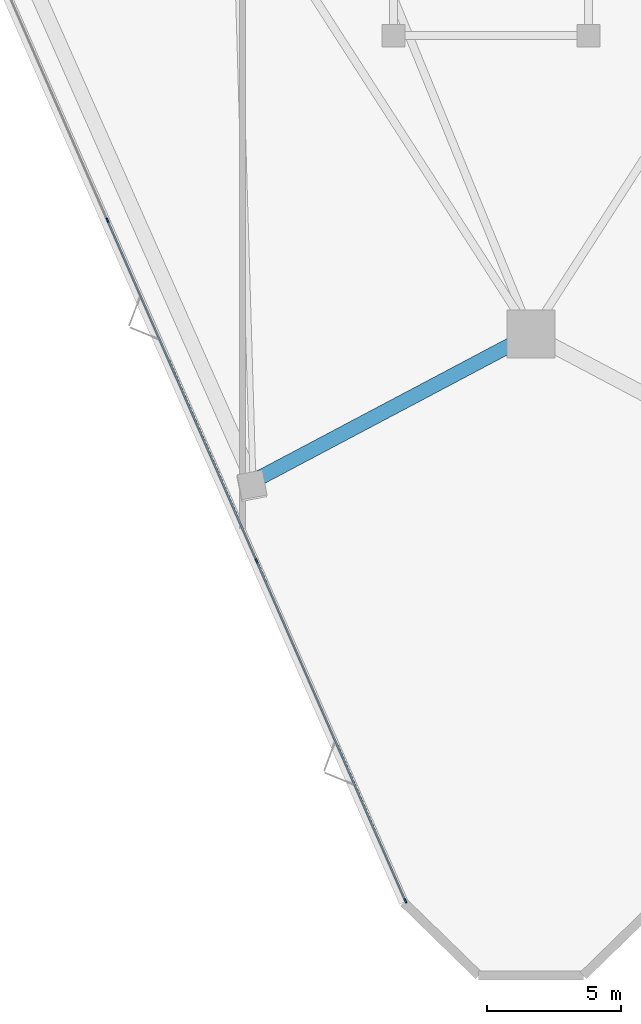
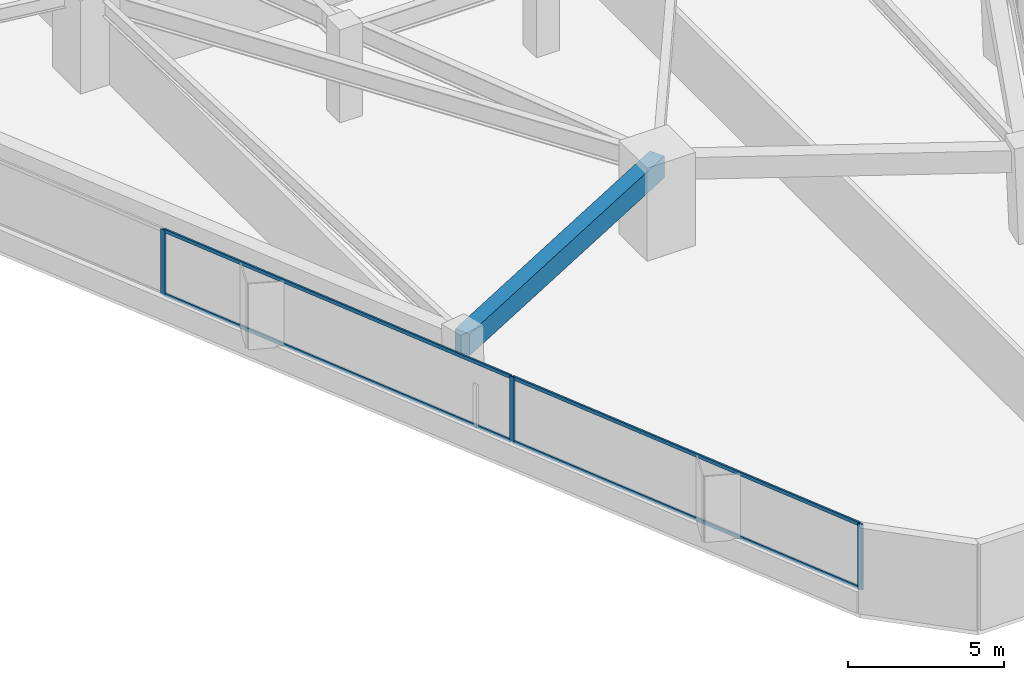
# One storey, part 2 of 21: 7 members, 1 beam, 1 element without a shape of its own.
"""IFC4 building model written with IfcOpenShell, lengths in metres."""

from ifc_helpers import new_model, si_unit, direction, frame, origin, origin_2d, place, context, subcontext, project, spatial, rectangle, extrude, material, layer, layer_set, material_profile, profile_set, type_object, element, aggregate, save


model = new_model("IFC4")

# Units and contexts
model_context = context("Model", 3, precision=1e-05, world=origin(), true_north=direction((0.0, 1.0)))
body_context = subcontext(model_context, "Body", "Model", "MODEL_VIEW")
ifc_project = project(units=[si_unit("LENGTHUNIT", "METRE"), si_unit("AREAUNIT", "SQUARE_METRE"), si_unit("VOLUMEUNIT", "CUBIC_METRE"), si_unit("PLANEANGLEUNIT", "RADIAN"), si_unit("MASSUNIT", "GRAM", prefix="KILO")], contexts=[model_context])

# Site, building, storey
site_placement = place(None, origin())
site = spatial("IfcSite", under=ifc_project, at=site_placement, CompositionType="ELEMENT")
building_placement = place(site_placement, origin())
building = spatial("IfcBuilding", under=site, at=building_placement, Name="Talyreon Biosciences Tower", CompositionType="ELEMENT")
storey_placement = place(building_placement, frame((0.0, 0.0, 55.64990234375)))
storey = spatial("IfcBuildingStorey", under=building, at=storey_placement, Name="L14", CompositionType="ELEMENT", Elevation=55.64990234375)

# Curtain wall, members
ifc_material_1 = material(Name="Thermally broken aluminium and low-E glazing", Category="aluminium")
ifc_layer = layer(ifc_material_1, 0.195068359375)
ifc_layer_set = layer_set([ifc_layer], Name="Thermally broken aluminium and low-E glazing")
curtain_wall_type = type_object("IfcCurtainWallType", Name="CurtainWall_Zone1WetLab", PredefinedType="NOTDEFINED", material=ifc_layer_set)
curtain_wall_placement = place(storey_placement, origin())
curtain_wall = element("IfcCurtainWall", 1, at=curtain_wall_placement, inside=storey, type_object=curtain_wall_type, Name="L14 Unitised Curtain Wall FCW-L14-00", PredefinedType="NOTDEFINED")
ifc_material_2 = material(Name="Anodised thermally broken aluminium", Category="aluminium")
ifc_material_profile_1 = material_profile(ifc_material_2, rectangle(XDim=0.06494140625, YDim=0.179931640625, at=origin_2d()), Name="ALUM MULLION 65x180")
ifc_profile_set_1 = profile_set([ifc_material_profile_1], Name="Anodised thermally broken aluminium")
member_type_1 = type_object("IfcMemberType", Name="CWMullion_65x180", PredefinedType="MULLION", material=ifc_profile_set_1)
member_1_placement = place(storey_placement, frame((61.296630859375, 20.452392578125, 0.81005859375), z_axis=(0.0, 0.0, 1.0), x_axis=(-0.916092182361, -0.400967721165, 0.0)))
member_1 = element("IfcMember", 2, at=member_1_placement, type_object=member_type_1, Name="CW2 mullion 1", PredefinedType="MULLION", context=body_context, shape_type="SweptSolid", body=[
    extrude(rectangle(XDim=0.06494140625, YDim=0.179931640625, at=origin_2d()), origin(), (0.0, 0.0, 1.0), 2.56494140625),
])
member_2_placement = place(storey_placement, frame((55.7265625, 33.17822265625, 0.81005859375), z_axis=(0.0, 0.0, 1.0), x_axis=(-0.916092182361, -0.400967721165, 0.0)))
member_2 = element("IfcMember", 3, at=member_2_placement, type_object=member_type_1, Name="CW2 mullion 2", PredefinedType="MULLION", context=body_context, shape_type="SweptSolid", body=[
    extrude(rectangle(XDim=0.06494140625, YDim=0.179931640625, at=origin_2d()), origin(), (0.0, 0.0, 1.0), 2.56494140625),
])
member_3_placement = place(storey_placement, frame((50.1435546875, 45.933837890625, 0.81005859375), z_axis=(0.0, 0.0, 1.0), x_axis=(-0.916092182361, -0.400967721165, 0.0)))
member_3 = element("IfcMember", 4, at=member_3_placement, type_object=member_type_1, Name="CW2 mullion 3", PredefinedType="MULLION", context=body_context, shape_type="SweptSolid", body=[
    extrude(rectangle(XDim=0.06494140625, YDim=0.179931640625, at=origin_2d()), origin(), (0.0, 0.0, 1.0), 2.56494140625),
])
ifc_material_profile_2 = material_profile(ifc_material_2, rectangle(XDim=0.06494140625, YDim=0.139892578125, at=origin_2d()), Name="ALUM TRANSOM 65x140")
ifc_profile_set_2 = profile_set([ifc_material_profile_2], Name="Anodised thermally broken aluminium")
member_type_2 = type_object("IfcMemberType", Name="CWTransom_65x140", PredefinedType="USERDEFINED", material=ifc_profile_set_2)
member_4_placement = place(storey_placement, frame((61.283447265625, 20.48193359375, 0.842529296875), z_axis=(-0.400961476813, 0.916094915449, 0.0), x_axis=(-0.916094915449, -0.400961476813, 0.0)))
member_4 = element("IfcMember", 5, at=member_4_placement, type_object=member_type_2, Name="CW2 transom 1.1", ObjectType="TRANSOM", PredefinedType="USERDEFINED", context=body_context, shape_type="SweptSolid", body=[
    extrude(rectangle(XDim=0.06494140625, YDim=0.139892578125, at=origin_2d()), origin(), (0.0, 0.0, 1.0), 13.82666015625),
])
member_5_placement = place(storey_placement, frame((61.283447265625, 20.48193359375, 3.342529296875), z_axis=(-0.400961476813, 0.916094915449, 0.0), x_axis=(-0.916094915449, -0.400961476813, 0.0)))
member_5 = element("IfcMember", 6, at=member_5_placement, type_object=member_type_2, Name="CW2 transom 1.2", ObjectType="TRANSOM", PredefinedType="USERDEFINED", context=body_context, shape_type="SweptSolid", body=[
    extrude(rectangle(XDim=0.06494140625, YDim=0.139892578125, at=origin_2d()), origin(), (0.0, 0.0, 1.0), 13.82666015625),
])
member_6_placement = place(storey_placement, frame((55.71337890625, 33.2080078125, 0.842529296875), z_axis=(-0.400962068949, 0.916094656279, 0.0), x_axis=(-0.916094656279, -0.400962068949, 0.0)))
member_6 = element("IfcMember", 7, at=member_6_placement, type_object=member_type_2, Name="CW2 transom 2.1", ObjectType="TRANSOM", PredefinedType="USERDEFINED", context=body_context, shape_type="SweptSolid", body=[
    extrude(rectangle(XDim=0.06494140625, YDim=0.139892578125, at=origin_2d()), origin(), (0.0, 0.0, 1.0), 13.85888671875),
])
member_7_placement = place(storey_placement, frame((55.71337890625, 33.2080078125, 3.342529296875), z_axis=(-0.400962068949, 0.916094656279, 0.0), x_axis=(-0.916094656279, -0.400962068949, 0.0)))
member_7 = element("IfcMember", 8, at=member_7_placement, type_object=member_type_2, Name="CW2 transom 2.2", ObjectType="TRANSOM", PredefinedType="USERDEFINED", context=body_context, shape_type="SweptSolid", body=[
    extrude(rectangle(XDim=0.06494140625, YDim=0.139892578125, at=origin_2d()), origin(), (0.0, 0.0, 1.0), 13.85888671875),
])
aggregate(curtain_wall, [member_1, member_2, member_3, member_4, member_5, member_6, member_7])

# Beam
ifc_material_3 = material(Name="Precast concrete C45/55", Category="concrete")
ifc_material_profile_3 = material_profile(ifc_material_3, rectangle(XDim=0.550048828125, YDim=0.85009765625, at=origin_2d()), Name="RCB 550x850")
ifc_profile_set_3 = profile_set([ifc_material_profile_3], Name="Precast concrete C45/55")
beam_type = type_object("IfcBeamType", Name="ExpressedSpandrel_550x850", PredefinedType="SPANDREL", material=ifc_profile_set_3)
beam_placement = place(storey_placement, frame((55.590087890625, 36.158447265625, 2.9501953125), z_axis=(0.883878660648, 0.467716274307, 0.0), x_axis=(-0.467716274307, 0.883878660648, 0.0)))
element("IfcBeam", 9, at=beam_placement, inside=storey, type_object=beam_type, Name="L14 Expressed Horizontal Concrete Spandrel 12", PredefinedType="SPANDREL", context=body_context, shape_type="SweptSolid", body=[
    extrude(rectangle(XDim=0.550048828125, YDim=0.85009765625, at=origin_2d()), origin(), (0.0, 0.0, 1.0), 11.777587890625),
])

save(model, "model.ifc")
